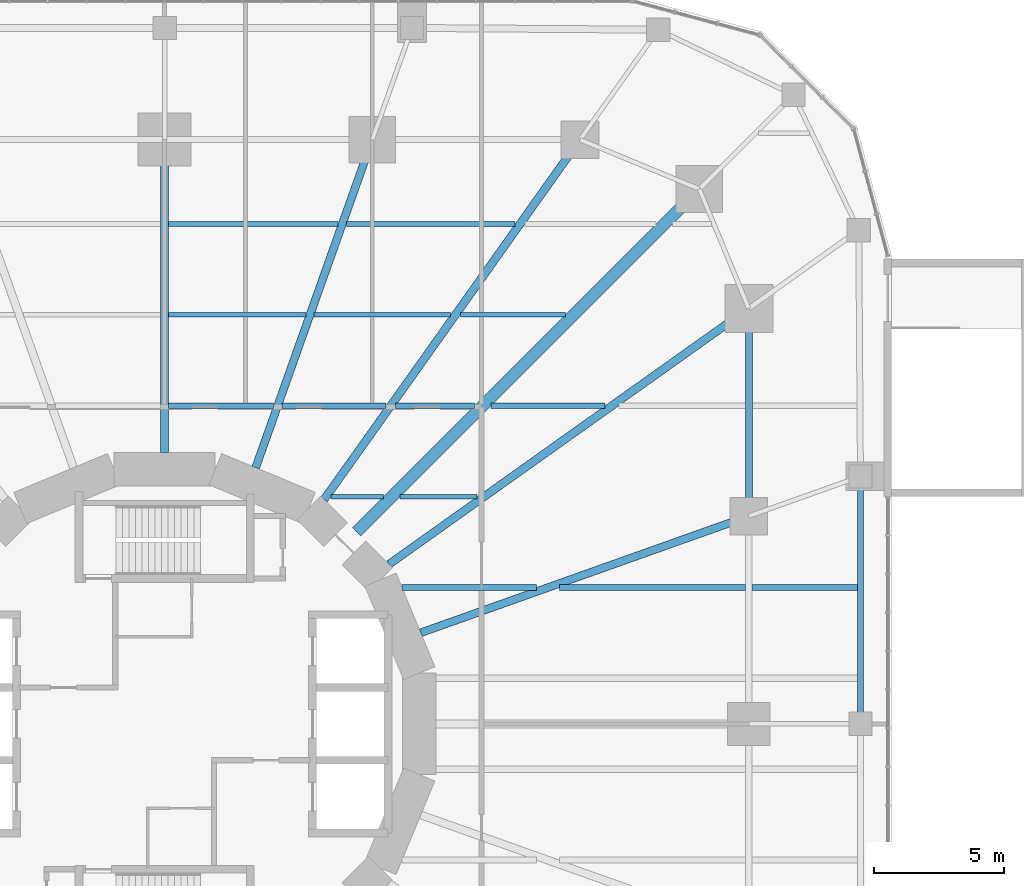
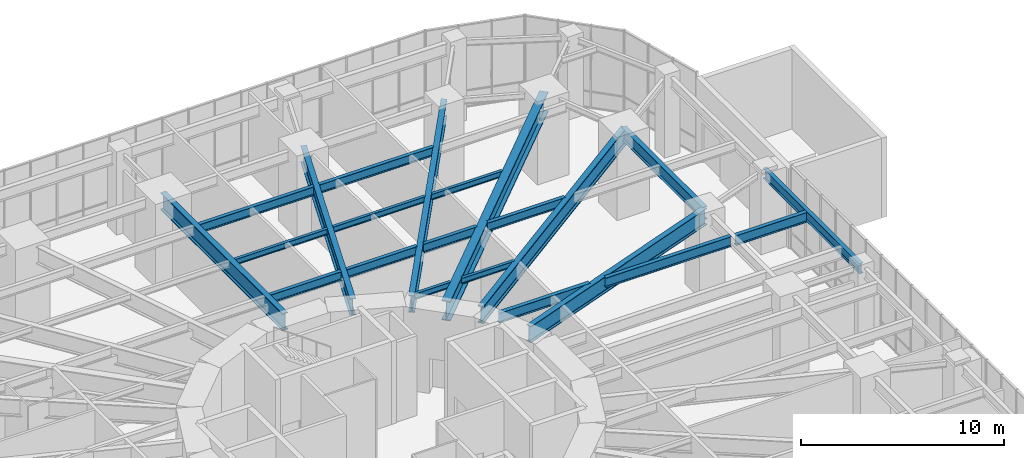
# One storey, part 13 of 24: 22 beams.
"""IFC4 building model written with IfcOpenShell, lengths in metres."""

import ifcopenshell
import ifcopenshell.guid

model = None  # the IFC model being written
_history = None  # IfcOwnerHistory: only IFC2X3 demands one
_inside = {}  # id of a spatial element -> (the spatial element, [elements in it])
_under = {}  # id of a project, library or spatial element -> (it, [spatial elements below it])
_declared = {}  # id of a project -> (the project, [libraries it declares])
_typed = {}  # id of a type object -> (the type object, [elements of that type])
_made_of = {}  # id of a material, layer set ... -> (it, [elements and type objects made of it])


def new_model(schema):
    """Start an empty IFC model of exactly this schema.

    Asked for "IFC4X3", IfcOpenShell would pick the latest addendum, in which some entities
    have other attributes; the version numbers below select the first issue.
    IFC2X3 requires an IfcOwnerHistory on every rooted entity: one is made here for all.
    """
    global model, _history
    if schema == "IFC4X3":
        model = ifcopenshell.file(schema_version=(4, 3, 0, 0))
    else:
        model = ifcopenshell.file(schema=schema)
    _inside.clear()
    _under.clear()
    _declared.clear()
    _typed.clear()
    _made_of.clear()
    _history = None
    if model.schema == "IFC2X3":
        org = make("IfcOrganization", Name="unknown")
        user = make(
            "IfcPersonAndOrganization",
            ThePerson=make("IfcPerson", FamilyName="unknown"),
            TheOrganization=org,
        )
        app = make(
            "IfcApplication",
            ApplicationDeveloper=org,
            Version="unknown",
            ApplicationFullName="unknown",
            ApplicationIdentifier="unknown",
        )
        _history = make(
            "IfcOwnerHistory",
            OwningUser=user,
            OwningApplication=app,
            ChangeAction="ADDED",
            CreationDate=0,
        )
    return model


def make(cls, **values):
    """One entity of the class cls with the attributes given. An attribute that is None is left unset."""
    return model.create_entity(
        cls, **{name: value for name, value in values.items() if value is not None}
    )


def rooted(cls, **values):
    """An entity with a GlobalId (a new one), such as an element, a storey or a relation."""
    return make(cls, GlobalId=ifcopenshell.guid.new(), OwnerHistory=_history, **values)


def si_unit(unit_type, name, prefix=None):
    """IfcSIUnit, for example si_unit("LENGTHUNIT", "METRE", prefix="MILLI")."""
    return make("IfcSIUnit", UnitType=unit_type, Prefix=prefix, Name=name)


def assignment(units):
    """IfcUnitAssignment: the units of a project."""
    return None if units is None else make("IfcUnitAssignment", Units=units)


def point(xyz):
    """IfcCartesianPoint."""
    return None if xyz is None else make("IfcCartesianPoint", Coordinates=xyz)


def direction(xyz):
    """IfcDirection."""
    return None if xyz is None else make("IfcDirection", DirectionRatios=xyz)


def frame(location, z_axis=None, x_axis=None):
    """IfcAxis2Placement3D, a coordinate frame: its origin and axes. An axis left out is left unset."""
    return make(
        "IfcAxis2Placement3D",
        Location=point(location),
        Axis=direction(z_axis),
        RefDirection=direction(x_axis),
    )


def frame_2d(location, x_axis=None):
    """IfcAxis2Placement2D, a coordinate frame in the plane: its origin and x axis."""
    return make(
        "IfcAxis2Placement2D", Location=point(location), RefDirection=direction(x_axis)
    )


def origin():
    """The frame at (0, 0, 0) with its axes left unset."""
    return frame((0.0, 0.0, 0.0))


def origin_2d():
    """The frame at (0, 0) in the plane with its x axis left unset."""
    return frame_2d((0.0, 0.0))


def place(relative_to, where):
    """IfcLocalPlacement: puts the frame where relative to a parent placement (None: the world)."""
    return make(
        "IfcLocalPlacement", PlacementRelTo=relative_to, RelativePlacement=where
    )


def context(
    kind, dimensions, precision=None, world=None, true_north=None, identifier=None
):
    """IfcGeometricRepresentationContext, for example the 3D "Model" context."""
    return make(
        "IfcGeometricRepresentationContext",
        ContextIdentifier=identifier,
        ContextType=kind,
        CoordinateSpaceDimension=dimensions,
        Precision=precision,
        WorldCoordinateSystem=world,
        TrueNorth=true_north,
    )


def subcontext(parent, identifier, kind, view, scale=None):
    """IfcGeometricRepresentationSubContext, for example "Body" below "Model"."""
    return make(
        "IfcGeometricRepresentationSubContext",
        ContextIdentifier=identifier,
        ContextType=kind,
        ParentContext=parent,
        TargetScale=scale,
        TargetView=view,
    )


def project(units=None, contexts=None):
    """IfcProject with its units and contexts."""
    return rooted(
        "IfcProject",
        Name="project",
        RepresentationContexts=contexts,
        UnitsInContext=assignment(units),
    )


def spatial(cls, under=None, at=None, **own):
    """A site, building, storey or space (cls), placed at a placement, below another one or the project."""
    s = rooted(cls, ObjectPlacement=at, **own)
    if under is not None:
        _under.setdefault(under.id(), (under, []))[1].append(s)
    return s


def profile(cls, at=None, kind="AREA", **sizes):
    """A parametric profile (cls). Its sizes go by their IFC names, for example OverallWidth=200.0."""
    return make(cls, ProfileType=kind, Position=at, **sizes)


def i_section(**sizes):
    """IfcIShapeProfileDef."""
    return profile("IfcIShapeProfileDef", **sizes)


def extrude(swept, where, along, depth):
    """IfcExtrudedAreaSolid: the profile swept, set in the frame where, extruded along a direction by depth."""
    return make(
        "IfcExtrudedAreaSolid",
        SweptArea=swept,
        Position=where,
        ExtrudedDirection=direction(along),
        Depth=depth,
    )


def shape(context_of_items, identifier, shape_type, items):
    """IfcShapeRepresentation: the items that make up one representation, for example the "Body"."""
    return make(
        "IfcShapeRepresentation",
        ContextOfItems=context_of_items,
        RepresentationIdentifier=identifier,
        RepresentationType=shape_type,
        Items=items,
    )


def material(Name=None, Category=None):
    """IfcMaterial."""
    return make("IfcMaterial", Name=Name, Category=Category)


def material_profile(
    of_material, cross_section, Name=None, Category=None, Priority=None
):
    """IfcMaterialProfile: a cross section and its material."""
    return make(
        "IfcMaterialProfile",
        Name=Name,
        Material=of_material,
        Profile=cross_section,
        Priority=Priority,
        Category=Category,
    )


def profile_set(profiles, Name=None, composite=None):
    """IfcMaterialProfileSet."""
    return make(
        "IfcMaterialProfileSet",
        Name=Name,
        MaterialProfiles=profiles,
        CompositeProfile=composite,
    )


def made_of(thing, what):
    """Note that an element or type object is made of a material, layer set ...; save() writes the relation."""
    if what is not None:
        _made_of.setdefault(what.id(), (what, []))[1].append(thing)
    return thing


def type_object(cls, material=None, **own):
    """A type object (cls), such as IfcWallType, which elements share."""
    return made_of(rooted(cls, **own), material)


def element(
    cls,
    number,
    at=None,
    inside=None,
    cuts=None,
    type_object=None,
    material=None,
    context=None,
    identifier="Body",
    shape_type=None,
    held_by="IfcProductDefinitionShape",
    body=None,
    shapes=None,
    **own,
):
    """One element of the class cls, such as IfcWall. Its Tag is "e" and its number.

    at: its placement. inside: the storey or other place that contains it. cuts: it is an
    opening in that element (IfcRelVoidsElement). A single representation is given by context,
    identifier, shape_type and body (its items); several are given by shapes. held_by: the class
    of the entity that holds the representations. save() writes the other relations.
    """
    e = rooted(cls, Tag="e%d" % number, ObjectPlacement=at, **own)
    if body is not None:
        shapes = [shape(context, identifier, shape_type, body)]
    if shapes is not None:
        e.Representation = make(held_by, Representations=shapes)
    if inside is not None:
        _inside.setdefault(inside.id(), (inside, []))[1].append(e)
    if cuts is not None:
        rooted(
            "IfcRelVoidsElement", RelatingBuildingElement=cuts, RelatedOpeningElement=e
        )
    if type_object is not None:
        _typed.setdefault(type_object.id(), (type_object, []))[1].append(e)
    return made_of(e, material)


def aggregate(whole, parts):
    """IfcRelAggregates: a whole, such as a stair, and the parts it consists of."""
    return rooted("IfcRelAggregates", RelatingObject=whole, RelatedObjects=parts)


def save(model, path):
    """Write the relations noted so far, then the file.

    IfcRelAggregates (storeys below a building ...), IfcRelContainedInSpatialStructure (elements
    in a storey), IfcRelDefinesByType, IfcRelAssociatesMaterial and IfcRelDeclares: one each for
    every whole, place, type object, material and project.
    """
    for whole, parts in _under.values():
        aggregate(whole, parts)
    for where, things in _inside.values():
        rooted(
            "IfcRelContainedInSpatialStructure",
            RelatedElements=things,
            RelatingStructure=where,
        )
    for kind, things in _typed.values():
        rooted("IfcRelDefinesByType", RelatedObjects=things, RelatingType=kind)
    for what, things in _made_of.values():
        rooted("IfcRelAssociatesMaterial", RelatedObjects=things, RelatingMaterial=what)
    for by, libraries in _declared.values():
        rooted("IfcRelDeclares", RelatingContext=by, RelatedDefinitions=libraries)
    model.write(path)


model = new_model("IFC4")

# Units and contexts
model_context = context("Model", 3, precision=1e-05, world=origin(), true_north=direction((0.0, 1.0)))
body_context = subcontext(model_context, "Body", "Model", "MODEL_VIEW")
ifc_project = project(units=[si_unit("LENGTHUNIT", "METRE"), si_unit("AREAUNIT", "SQUARE_METRE"), si_unit("VOLUMEUNIT", "CUBIC_METRE"), si_unit("PLANEANGLEUNIT", "RADIAN"), si_unit("MASSUNIT", "GRAM", prefix="KILO")], contexts=[model_context])

# Site, building, storey
site_placement = place(None, origin())
site = spatial("IfcSite", under=ifc_project, at=site_placement, CompositionType="ELEMENT")
building_placement = place(site_placement, origin())
building = spatial("IfcBuilding", under=site, at=building_placement, Name="Nakasero Lantern House", CompositionType="ELEMENT")
storey_placement = place(building_placement, frame((0.0, 0.0, 11.0)))
storey = spatial("IfcBuildingStorey", under=building, at=storey_placement, Name="L02", CompositionType="ELEMENT", Elevation=11.0)

# Beams
ifc_material_1 = material(Name="Steel S355", Category="steel")
ifc_material_profile_1 = material_profile(ifc_material_1, i_section(OverallWidth=0.17138671875, OverallDepth=0.35498046875, WebThickness=0.00732421875, FlangeThickness=0.011474609375, FilletRadius=0.01025390625, at=origin_2d()), Name="UB 356x171x51")
ifc_profile_set_1 = profile_set([ifc_material_profile_1], Name="Steel S355")
beam_type_1 = type_object("IfcBeamType", Name="Infill beam UB 356x171x51", PredefinedType="JOIST", material=ifc_profile_set_1)
beam_1_placement = place(storey_placement, frame((6.411376953125, 8.75, 4.62255859375), z_axis=(1.0, 0.0, 0.0), x_axis=(0.0, 1.0, 0.0)))
element("IfcBeam", 1, at=beam_1_placement, inside=storey, type_object=beam_type_1, Name="Infill beam L03 11.3", PredefinedType="JOIST", context=body_context, shape_type="SweptSolid", body=[
    extrude(i_section(OverallWidth=0.17138671875, OverallDepth=0.35498046875, WebThickness=0.00732421875, FlangeThickness=0.011474609375, FilletRadius=0.01025390625, at=origin_2d()), origin(), (0.0, 0.0, 1.0), 2.0205078125),
])
beam_2_placement = place(storey_placement, frame((9.068115234375, 8.75, 4.62255859375), z_axis=(1.0, 0.0, 0.0), x_axis=(0.0, 1.0, 0.0)))
element("IfcBeam", 2, at=beam_2_placement, inside=storey, type_object=beam_type_1, Name="Infill beam L03 11.4", PredefinedType="JOIST", context=body_context, shape_type="SweptSolid", body=[
    extrude(i_section(OverallWidth=0.17138671875, OverallDepth=0.35498046875, WebThickness=0.00732421875, FlangeThickness=0.011474609375, FilletRadius=0.01025390625, at=origin_2d()), origin(), (0.0, 0.0, 1.0), 2.970458984375),
])
beam_3_placement = place(storey_placement, frame((0.154296875, 15.75, 4.62255859375), z_axis=(1.0, 0.0, 0.0), x_axis=(0.0, 1.0, 0.0)))
element("IfcBeam", 3, at=beam_3_placement, inside=storey, type_object=beam_type_1, Name="Infill beam L03 13.4", PredefinedType="JOIST", context=body_context, shape_type="SweptSolid", body=[
    extrude(i_section(OverallWidth=0.17138671875, OverallDepth=0.35498046875, WebThickness=0.00732421875, FlangeThickness=0.011474609375, FilletRadius=0.01025390625, at=origin_2d()), origin(), (0.0, 0.0, 1.0), 5.285400390625),
])
beam_4_placement = place(storey_placement, frame((5.76025390625, 15.75, 4.62255859375), z_axis=(1.0, 0.0, 0.0), x_axis=(0.0, 1.0, 0.0)))
element("IfcBeam", 4, at=beam_4_placement, inside=storey, type_object=beam_type_1, Name="Infill beam L03 13.5", PredefinedType="JOIST", context=body_context, shape_type="SweptSolid", body=[
    extrude(i_section(OverallWidth=0.17138671875, OverallDepth=0.35498046875, WebThickness=0.00732421875, FlangeThickness=0.011474609375, FilletRadius=0.01025390625, at=origin_2d()), origin(), (0.0, 0.0, 1.0), 5.25048828125),
])
beam_5_placement = place(storey_placement, frame((11.38916015625, 15.75, 4.62255859375), z_axis=(1.0, 0.0, 0.0), x_axis=(0.0, 1.0, 0.0)))
element("IfcBeam", 5, at=beam_5_placement, inside=storey, type_object=beam_type_1, Name="Infill beam L03 13.6", PredefinedType="JOIST", context=body_context, shape_type="SweptSolid", body=[
    extrude(i_section(OverallWidth=0.17138671875, OverallDepth=0.35498046875, WebThickness=0.00732421875, FlangeThickness=0.011474609375, FilletRadius=0.01025390625, at=origin_2d()), origin(), (0.0, 0.0, 1.0), 4.042724609375),
])
ifc_material_2 = material(Name="Steel S355", Category="steel")
ifc_material_profile_2 = material_profile(ifc_material_2, i_section(OverallWidth=0.2099609375, OverallDepth=0.53662109375, WebThickness=0.0107421875, FlangeThickness=0.017333984375, FilletRadius=0.0126953125, at=origin_2d()), Name="UB 533x210x101")
ifc_profile_set_2 = profile_set([ifc_material_profile_2], Name="Steel S355")
beam_type_2 = type_object("IfcBeamType", Name="Infill beam UB 533x210x101", PredefinedType="JOIST", material=ifc_profile_set_2)
beam_6_placement = place(storey_placement, frame((0.154296875, 19.25, 4.53173828125), z_axis=(1.0, 0.0, 0.0), x_axis=(0.0, 1.0, 0.0)))
element("IfcBeam", 6, at=beam_6_placement, inside=storey, type_object=beam_type_2, Name="Infill beam L03 14.5", PredefinedType="JOIST", context=body_context, shape_type="SweptSolid", body=[
    extrude(i_section(OverallWidth=0.2099609375, OverallDepth=0.53662109375, WebThickness=0.0107421875, FlangeThickness=0.017333984375, FilletRadius=0.0126953125, at=origin_2d()), origin(), (0.0, 0.0, 1.0), 6.52978515625),
])
beam_7_placement = place(storey_placement, frame((7.004638671875, 19.25, 4.53173828125), z_axis=(1.0, 0.0, 0.0), x_axis=(0.0, 1.0, 0.0)))
element("IfcBeam", 7, at=beam_7_placement, inside=storey, type_object=beam_type_2, Name="Infill beam L03 14.6", PredefinedType="JOIST", context=body_context, shape_type="SweptSolid", body=[
    extrude(i_section(OverallWidth=0.2099609375, OverallDepth=0.53662109375, WebThickness=0.0107421875, FlangeThickness=0.017333984375, FilletRadius=0.0126953125, at=origin_2d()), origin(), (0.0, 0.0, 1.0), 6.494873046875),
])
ifc_material_3 = material(Name="Steel S355", Category="steel")
ifc_material_profile_3 = material_profile(ifc_material_3, i_section(OverallWidth=0.208740234375, OverallDepth=0.5283203125, WebThickness=0.009521484375, FlangeThickness=0.01318359375, FilletRadius=0.0126953125, at=origin_2d()), Name="UB 533x210x82")
ifc_profile_set_3 = profile_set([ifc_material_profile_3], Name="Steel S355")
beam_type_3 = type_object("IfcBeamType", Name="Infill beam UB 533x210x82", PredefinedType="JOIST", material=ifc_profile_set_3)
beam_8_placement = place(storey_placement, frame((0.154296875, 12.25, 4.535888671875), z_axis=(1.0, 0.0, 0.0), x_axis=(0.0, 1.0, 0.0)))
element("IfcBeam", 8, at=beam_8_placement, inside=storey, type_object=beam_type_3, Name="Infill beam L03 12.7", PredefinedType="JOIST", context=body_context, shape_type="SweptSolid", body=[
    extrude(i_section(OverallWidth=0.208740234375, OverallDepth=0.5283203125, WebThickness=0.009521484375, FlangeThickness=0.01318359375, FilletRadius=0.0126953125, at=origin_2d()), origin(), (0.0, 0.0, 1.0), 4.041015625),
])
beam_9_placement = place(storey_placement, frame((4.515869140625, 12.25, 4.535888671875), z_axis=(1.0, 0.0, 0.0), x_axis=(0.0, 1.0, 0.0)))
element("IfcBeam", 9, at=beam_9_placement, inside=storey, type_object=beam_type_3, Name="Infill beam L03 12.8", PredefinedType="JOIST", context=body_context, shape_type="SweptSolid", body=[
    extrude(i_section(OverallWidth=0.208740234375, OverallDepth=0.5283203125, WebThickness=0.009521484375, FlangeThickness=0.01318359375, FilletRadius=0.0126953125, at=origin_2d()), origin(), (0.0, 0.0, 1.0), 4.005859375),
])
beam_10_placement = place(storey_placement, frame((8.900390625, 12.25, 4.535888671875), z_axis=(1.0, 0.0, 0.0), x_axis=(0.0, 1.0, 0.0)))
element("IfcBeam", 10, at=beam_10_placement, inside=storey, type_object=beam_type_3, Name="Infill beam L03 12.9", PredefinedType="JOIST", context=body_context, shape_type="SweptSolid", body=[
    extrude(i_section(OverallWidth=0.208740234375, OverallDepth=0.5283203125, WebThickness=0.009521484375, FlangeThickness=0.01318359375, FilletRadius=0.0126953125, at=origin_2d()), origin(), (0.0, 0.0, 1.0), 3.031494140625),
])
beam_11_placement = place(storey_placement, frame((12.568115234375, 12.25, 4.535888671875), z_axis=(1.0, 0.0, 0.0), x_axis=(0.0, 1.0, 0.0)))
element("IfcBeam", 11, at=beam_11_placement, inside=storey, type_object=beam_type_3, Name="Infill beam L03 12.10", PredefinedType="JOIST", context=body_context, shape_type="SweptSolid", body=[
    extrude(i_section(OverallWidth=0.208740234375, OverallDepth=0.5283203125, WebThickness=0.009521484375, FlangeThickness=0.01318359375, FilletRadius=0.0126953125, at=origin_2d()), origin(), (0.0, 0.0, 1.0), 4.392333984375),
])
ifc_material_4 = material(Name="Steel S355", Category="steel")
ifc_material_profile_4 = material_profile(ifc_material_4, i_section(OverallWidth=0.2275390625, OverallDepth=0.6025390625, WebThickness=0.010498046875, FlangeThickness=0.014892578125, FilletRadius=0.0126953125, at=origin_2d()), Name="UB 610x229x101")
ifc_profile_set_4 = profile_set([ifc_material_profile_4], Name="Steel S355")
beam_type_4 = type_object("IfcBeamType", Name="Infill beam UB 610x229x101", PredefinedType="JOIST", material=ifc_profile_set_4)
beam_12_placement = place(storey_placement, frame((9.144775390625, 5.25, 4.498779296875), z_axis=(1.0, 0.0, 0.0), x_axis=(0.0, 1.0, 0.0)))
element("IfcBeam", 12, at=beam_12_placement, inside=storey, type_object=beam_type_4, Name="Infill beam L03 10.4", PredefinedType="JOIST", context=body_context, shape_type="SweptSolid", body=[
    extrude(i_section(OverallWidth=0.2275390625, OverallDepth=0.6025390625, WebThickness=0.010498046875, FlangeThickness=0.014892578125, FilletRadius=0.0126953125, at=origin_2d()), origin(), (0.0, 0.0, 1.0), 5.173095703125),
])
beam_13_placement = place(storey_placement, frame((15.21337890625, 5.25, 4.498779296875), z_axis=(1.0, 0.0, 0.0), x_axis=(0.0, 1.0, 0.0)))
element("IfcBeam", 13, at=beam_13_placement, inside=storey, type_object=beam_type_4, Name="Infill beam L03 10.5", PredefinedType="JOIST", context=body_context, shape_type="SweptSolid", body=[
    extrude(i_section(OverallWidth=0.2275390625, OverallDepth=0.6025390625, WebThickness=0.010498046875, FlangeThickness=0.014892578125, FilletRadius=0.0126953125, at=origin_2d()), origin(), (0.0, 0.0, 1.0), 7.15869140625),
])
beam_14_placement = place(storey_placement, frame((22.6279296875, 5.25, 4.44873046875), z_axis=(1.0, 0.0, 0.0), x_axis=(0.0, 1.0, 0.0)))
element("IfcBeam", 14, at=beam_14_placement, inside=storey, type_object=beam_type_4, Name="Infill beam L03 10.6", PredefinedType="JOIST", context=body_context, shape_type="SweptSolid", body=[
    extrude(i_section(OverallWidth=0.2275390625, OverallDepth=0.6025390625, WebThickness=0.010498046875, FlangeThickness=0.014892578125, FilletRadius=0.0126953125, at=origin_2d()), origin(), (0.0, 0.0, 1.0), 4.0576171875),
])
ifc_material_5 = material(Name="Steel S355", Category="steel")
ifc_material_profile_5 = material_profile(ifc_material_5, i_section(OverallWidth=0.449951171875, OverallDepth=1.199951171875, WebThickness=0.02490234375, FlangeThickness=0.06005859375, at=origin_2d()), Name="PG 1200x450x636")
ifc_profile_set_5 = profile_set([ifc_material_profile_5], Name="Steel S355")
beam_type_5 = type_object("IfcBeamType", Name="Primary beam PG 1200x450x636, span over 15 m", PredefinedType="BEAM", material=ifc_profile_set_5)
beam_15_placement = place(storey_placement, frame((20.59619140625, 20.59619140625, 4.199951171875), z_axis=(-0.707106781187, -0.707106781187, 0.0), x_axis=(0.707106781187, -0.707106781187, 0.0)))
element("IfcBeam", 15, at=beam_15_placement, inside=storey, type_object=beam_type_5, Name="Primary beam L03 B1-C06", PredefinedType="BEAM", context=body_context, shape_type="SweptSolid", body=[
    extrude(i_section(OverallWidth=0.449951171875, OverallDepth=1.199951171875, WebThickness=0.02490234375, FlangeThickness=0.06005859375, at=origin_2d()), origin(), (0.0, 0.0, 1.0), 18.669677734375),
])
ifc_material_6 = material(Name="Steel S355", Category="steel")
ifc_material_profile_6 = material_profile(ifc_material_6, i_section(OverallWidth=0.300048828125, OverallDepth=0.989990234375, WebThickness=0.0166015625, FlangeThickness=0.031005859375, FilletRadius=0.030029296875, at=origin_2d()), Name="UB 1016x305x272")
ifc_profile_set_6 = profile_set([ifc_material_profile_6], Name="Steel S355")
beam_type_6 = type_object("IfcBeamType", Name="Primary beam UB 1016x305x272, span 12 to 15 m", PredefinedType="BEAM", material=ifc_profile_set_6)
beam_16_placement = place(storey_placement, frame((22.5, 8.0, 4.304931640625), z_axis=(-0.942214307118, -0.335010745293, 0.0), x_axis=(0.335010745293, -0.942214307118, 0.0)))
element("IfcBeam", 16, at=beam_16_placement, inside=storey, type_object=beam_type_6, Name="Primary beam L03 B1-C04", PredefinedType="BEAM", context=body_context, shape_type="SweptSolid", body=[
    extrude(i_section(OverallWidth=0.300048828125, OverallDepth=0.989990234375, WebThickness=0.0166015625, FlangeThickness=0.031005859375, FilletRadius=0.030029296875, at=origin_2d()), origin(), (0.0, 0.0, 1.0), 13.408447265625),
])
ifc_material_7 = material(Name="Steel S355", Category="steel")
ifc_material_profile_7 = material_profile(ifc_material_7, i_section(OverallWidth=0.302001953125, OverallDepth=1.008056640625, WebThickness=0.02099609375, FlangeThickness=0.0400390625, FilletRadius=0.030029296875, at=origin_2d()), Name="UB 1016x305x349")
ifc_profile_set_7 = profile_set([ifc_material_profile_7], Name="Steel S355")
beam_type_7 = type_object("IfcBeamType", Name="Primary beam UB 1016x305x349, span 12 to 15 m", PredefinedType="BEAM", material=ifc_profile_set_7)
beam_17_placement = place(storey_placement, frame((8.0, 22.5, 4.2958984375), z_axis=(-0.335010745293, -0.942214307118, 0.0), x_axis=(0.942214307118, -0.335010745293, 0.0)))
element("IfcBeam", 17, at=beam_17_placement, inside=storey, type_object=beam_type_7, Name="Primary beam L03 B1-C08", PredefinedType="BEAM", context=body_context, shape_type="SweptSolid", body=[
    extrude(i_section(OverallWidth=0.302001953125, OverallDepth=1.008056640625, WebThickness=0.02099609375, FlangeThickness=0.0400390625, FilletRadius=0.030029296875, at=origin_2d()), origin(), (0.0, 0.0, 1.0), 13.408447265625),
])
ifc_material_8 = material(Name="Steel S355", Category="steel")
ifc_material_profile_8 = material_profile(ifc_material_8, i_section(OverallWidth=0.30859375, OverallDepth=1.036376953125, WebThickness=0.030029296875, FlangeThickness=0.05419921875, FilletRadius=0.030029296875, at=origin_2d()), Name="UB 1016x305x487")
ifc_profile_set_8 = profile_set([ifc_material_profile_8], Name="Steel S355")
beam_type_8 = type_object("IfcBeamType", Name="Primary beam UB 1016x305x487, span 12 to 15 m", PredefinedType="BEAM", material=ifc_profile_set_8)
beam_18_placement = place(storey_placement, frame((0.0, 22.5, 4.28173828125), z_axis=(0.0, -1.0, 0.0), x_axis=(1.0, 0.0, 0.0)))
element("IfcBeam", 18, at=beam_18_placement, inside=storey, type_object=beam_type_8, Name="Primary beam L03 B1-C09", PredefinedType="BEAM", context=body_context, shape_type="SweptSolid", body=[
    extrude(i_section(OverallWidth=0.30859375, OverallDepth=1.036376953125, WebThickness=0.030029296875, FlangeThickness=0.05419921875, FilletRadius=0.030029296875, at=origin_2d()), origin(), (0.0, 0.0, 1.0), 12.042236328125),
])
ifc_material_9 = material(Name="Steel S355", Category="steel")
ifc_material_profile_9 = material_profile(ifc_material_9, i_section(OverallWidth=0.30859375, OverallDepth=1.036376953125, WebThickness=0.030029296875, FlangeThickness=0.05419921875, FilletRadius=0.030029296875, at=origin_2d()), Name="UB 1016x305x487")
ifc_profile_set_9 = profile_set([ifc_material_profile_9], Name="Steel S355")
beam_type_9 = type_object("IfcBeamType", Name="Primary beam UB 1016x305x487, span over 15 m", PredefinedType="BEAM", material=ifc_profile_set_9)
for number, where, z_axis, x_axis, name in (
    (19, (22.5, 16.0, 4.28173828125), (-0.814952159915, -0.579528236629, 0.0), (0.579528236629, -0.814952159915, 0.0), "Primary beam L03 B1-C05"),
    (20, (16.0, 22.5, 4.28173828125), (-0.579528236629, -0.814952159915, 0.0), (0.814952159915, -0.579528236629, 0.0), "Primary beam L03 B1-C07"),
):
    element("IfcBeam", number, at=place(storey_placement, frame(where, z_axis=z_axis, x_axis=x_axis)), inside=storey, type_object=beam_type_9, Name=name, PredefinedType="BEAM", context=body_context, shape_type="SweptSolid", body=[
        extrude(i_section(OverallWidth=0.30859375, OverallDepth=1.036376953125, WebThickness=0.030029296875, FlangeThickness=0.05419921875, FilletRadius=0.030029296875, at=origin_2d()), origin(), (0.0, 0.0, 1.0), 17.003173828125),
    ])
ifc_material_10 = material(Name="Steel S355", Category="steel")
ifc_material_profile_10 = material_profile(ifc_material_10, i_section(OverallWidth=0.22900390625, OverallDepth=0.6123046875, WebThickness=0.011962890625, FlangeThickness=0.01953125, FilletRadius=0.0126953125, at=origin_2d()), Name="UB 610x229x125")
ifc_profile_set_10 = profile_set([ifc_material_profile_10], Name="Steel S355")
beam_type_10 = type_object("IfcBeamType", Name="Ring beam UB 610x229x125", PredefinedType="BEAM", material=ifc_profile_set_10)
beam_19_placement = place(storey_placement, frame((26.800048828125, 0.0, 4.44384765625), z_axis=(0.0, 1.0, 0.0), x_axis=(-1.0, 0.0, 0.0)))
element("IfcBeam", 21, at=beam_19_placement, inside=storey, type_object=beam_type_10, Name="Ring beam L03 POD-C03", PredefinedType="BEAM", context=body_context, shape_type="SweptSolid", body=[
    extrude(i_section(OverallWidth=0.22900390625, OverallDepth=0.6123046875, WebThickness=0.011962890625, FlangeThickness=0.01953125, FilletRadius=0.0126953125, at=origin_2d()), origin(), (0.0, 0.0, 1.0), 9.52880859375),
])
ifc_material_11 = material(Name="Steel S355", Category="steel")
ifc_material_profile_11 = material_profile(ifc_material_11, i_section(OverallWidth=0.2666015625, OverallDepth=0.76220703125, WebThickness=0.014404296875, FlangeThickness=0.021484375, FilletRadius=0.0166015625, at=origin_2d()), Name="UB 762x267x173")
ifc_profile_set_11 = profile_set([ifc_material_profile_11], Name="Steel S355")
beam_type_11 = type_object("IfcBeamType", Name="Ring beam UB 762x267x173", PredefinedType="BEAM", material=ifc_profile_set_11)
beam_20_placement = place(storey_placement, frame((22.5, 8.0, 4.4189453125), z_axis=(0.0, 1.0, 0.0), x_axis=(-1.0, 0.0, 0.0)))
element("IfcBeam", 22, at=beam_20_placement, inside=storey, type_object=beam_type_11, Name="Ring beam L03 B1-C04", PredefinedType="BEAM", context=body_context, shape_type="SweptSolid", body=[
    extrude(i_section(OverallWidth=0.2666015625, OverallDepth=0.76220703125, WebThickness=0.014404296875, FlangeThickness=0.021484375, FilletRadius=0.0166015625, at=origin_2d()), origin(), (0.0, 0.0, 1.0), 8.0),
])

save(model, "model.ifc")
